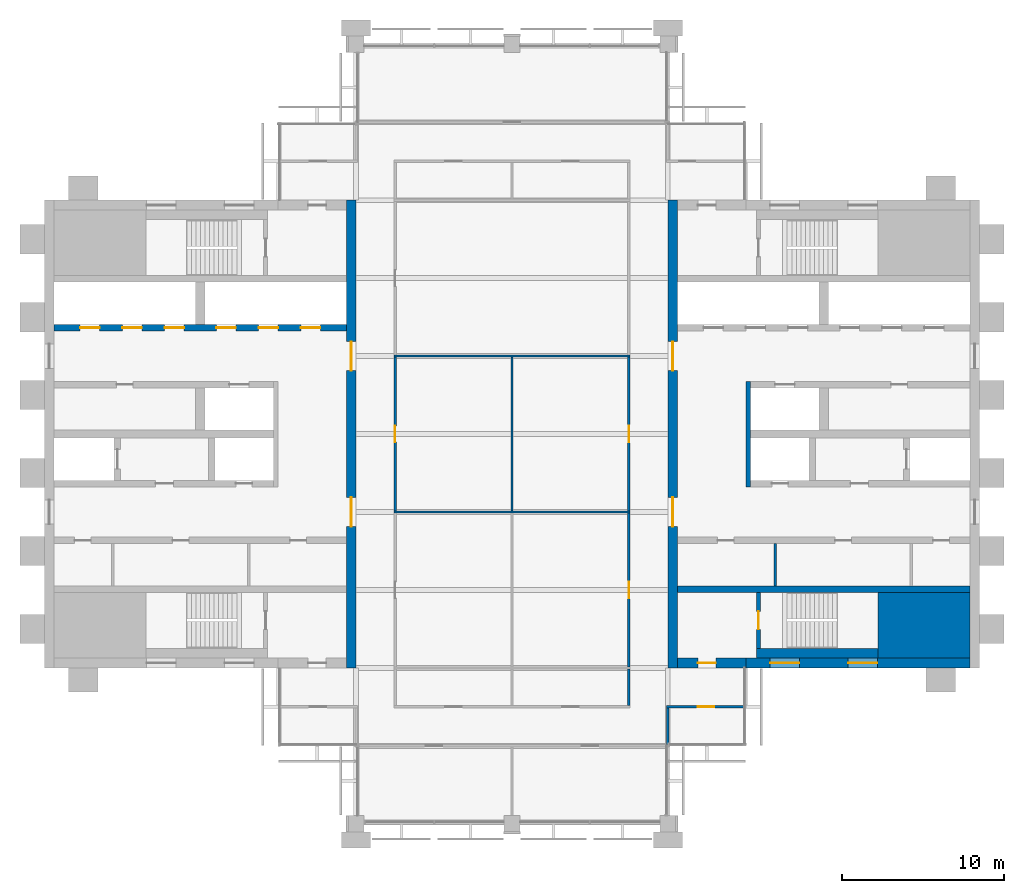
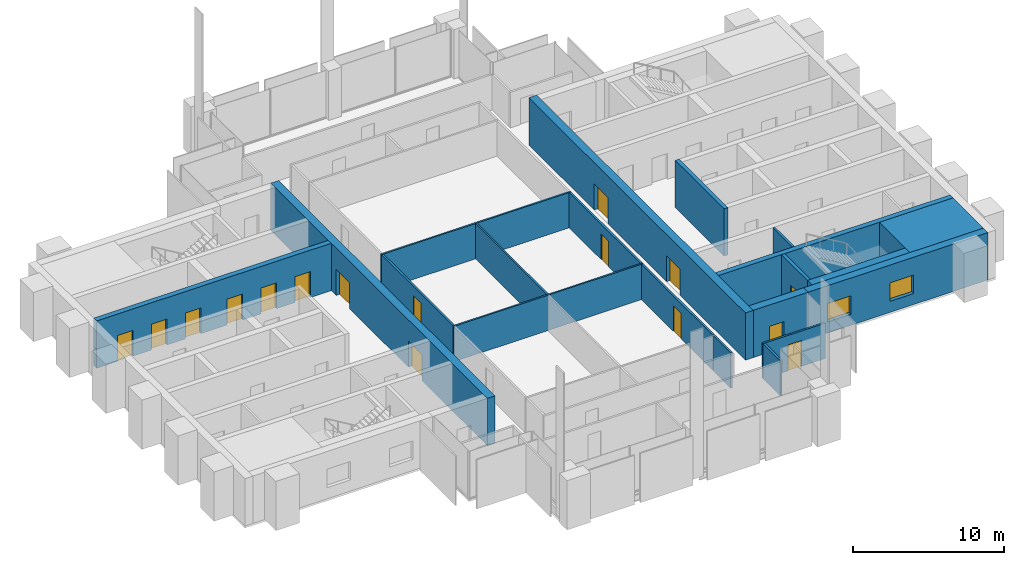
# One storey, part 9 of 13: 20 walls, 16 doors, 2 windows, 18 openings.
"""IFC4 building model written with IfcOpenShell, lengths in metres."""

from ifc_helpers import new_model, si_unit, direction, frame, frame_2d, origin, place, context, subcontext, project, spatial, rectangle, extrude, material, layer, layer_set, type_object, element, fill, save


model = new_model("IFC4")

# Units and contexts
model_context = context("Model", 3, precision=1e-05, world=origin(), true_north=direction((0.0, 1.0)))
body_context = subcontext(model_context, "Body", "Model", "MODEL_VIEW")
ifc_project = project(units=[si_unit("LENGTHUNIT", "METRE"), si_unit("AREAUNIT", "SQUARE_METRE"), si_unit("VOLUMEUNIT", "CUBIC_METRE"), si_unit("PLANEANGLEUNIT", "RADIAN"), si_unit("MASSUNIT", "GRAM", prefix="KILO")], contexts=[model_context])

# Site, building, storey
site_placement = place(None, origin())
site = spatial("IfcSite", under=ifc_project, at=site_placement, CompositionType="ELEMENT")
building_placement = place(site_placement, origin())
building = spatial("IfcBuilding", under=site, at=building_placement, Name="Baori Bourse Tower", CompositionType="ELEMENT")
storey_placement = place(building_placement, frame((0.0, 0.0, 294.300048828125)))
storey = spatial("IfcBuildingStorey", under=building, at=storey_placement, Name="L64", CompositionType="ELEMENT", Elevation=294.300048828125)

# Walls
ifc_material_1 = material(Name="Concrete f'c 40 MPa", Category="concrete")
wall_type_1 = type_object("IfcWallType", Name="Core corner block f'c 40", PredefinedType="SHEAR", material=ifc_material_1)
wall_1_placement = place(storey_placement, frame((51.35009765625, 12.22509765625, 0.0), z_axis=(0.0, 0.0, 1.0), x_axis=(1.0, 0.0, 0.0)))
element("IfcWall", 1, at=wall_1_placement, inside=storey, type_object=wall_type_1, Name="Core wall E05", PredefinedType="SHEAR", context=body_context, shape_type="SweptSolid", body=[
    extrude(rectangle(XDim=5.64990234375, YDim=4.050048828125, at=frame_2d((2.824951171875, 0.0))), origin(), (0.0, 0.0, 1.0), 3.83984375),
])
ifc_material_2 = material(Name="Blockwork partition", Category="masonry")
ifc_layer_1 = layer(ifc_material_2, 0.14990234375)
ifc_layer_set_1 = layer_set([ifc_layer_1], Name="Core partition 150")
wall_type_2 = type_object("IfcWallType", Name="Core partition 150", PredefinedType="PARTITIONING", material=ifc_layer_set_1)
wall_2_placement = place(storey_placement, frame((45.0, 14.64990234375, 0.0), z_axis=(0.0, 0.0, 1.0), x_axis=(0.0, 1.0, 0.0)))
element("IfcWall", 2, at=wall_2_placement, inside=storey, type_object=wall_type_2, Name="Partition wall E10", PredefinedType="PARTITIONING", context=body_context, shape_type="SweptSolid", body=[
    extrude(rectangle(XDim=2.60009765625, YDim=0.14990234375, at=frame_2d((1.300048828125, 0.0))), origin(), (0.0, 0.0, 1.0), 3.83984375),
])

# Wall, openings, doors
ifc_material_3 = material(Name="Concrete f'c 40 MPa", Category="concrete")
ifc_layer_2 = layer(ifc_material_3, 0.60009765625)
ifc_layer_set_2 = layer_set([ifc_layer_2], Name="Core wall 600 f'c 40")
wall_type_3 = type_object("IfcWallType", Name="Core wall 600 f'c 40", PredefinedType="SHEAR", material=ifc_layer_set_2)
wall_3_placement = place(storey_placement, frame((18.89990234375, 38.39990234375, 0.0), z_axis=(0.0, 0.0, 1.0), x_axis=(0.0, -1.0, 0.0)))
wall_3 = element("IfcWall", 3, at=wall_3_placement, inside=storey, type_object=wall_type_3, Name="Core wall W04", PredefinedType="SHEAR", context=body_context, shape_type="SweptSolid", body=[
    extrude(rectangle(XDim=28.7998046875, YDim=0.60009765625, at=frame_2d((14.39990234375, 0.0))), origin(), (0.0, 0.0, 1.0), 3.83984375),
])
opening_1_placement = place(wall_3_placement, frame((18.300048828125, 0.0, 0.0)))
opening_1 = element("IfcOpeningElement", 4, at=opening_1_placement, cuts=wall_3, Name="Opening L64-D107", PredefinedType="OPENING", context=body_context, shape_type="SweptSolid", body=[
    extrude(rectangle(XDim=1.800048828125, YDim=2.10009765625, at=frame_2d((0.89990234375, 1.050048828125))), frame((0.0, 0.31005859375, 0.0), z_axis=(0.0, -1.0, 0.0), x_axis=(1.0, 0.0, 0.0)), (0.0, 0.0, 1.0), 0.6201171875),
])
opening_2_placement = place(wall_3_placement, frame((8.699951171875, 0.0, 0.0)))
opening_2 = element("IfcOpeningElement", 5, at=opening_2_placement, cuts=wall_3, Name="Opening L64-D108", PredefinedType="OPENING", context=body_context, shape_type="SweptSolid", body=[
    extrude(rectangle(XDim=1.800048828125, YDim=2.10009765625, at=frame_2d((0.89990234375, 1.050048828125))), frame((0.0, 0.31005859375, 0.0), z_axis=(0.0, -1.0, 0.0), x_axis=(1.0, 0.0, 0.0)), (0.0, 0.0, 1.0), 0.6201171875),
])
ifc_material_4 = material(Name="Painted steel door", Category="steel")
door_type_1 = type_object("IfcDoorType", Name="Core lobby door 1800", OperationType="DOUBLE_DOOR_SINGLE_SWING", PredefinedType="DOOR", material=ifc_material_4)
door_1_placement = place(opening_1_placement, origin())
door_1 = element("IfcDoor", 6, at=door_1_placement, inside=storey, type_object=door_type_1, Name="Lobby door W L64", OperationType="DOUBLE_DOOR_SINGLE_SWING", OverallHeight=2.10009765625, OverallWidth=1.800048828125, PredefinedType="DOOR", context=body_context, shape_type="SweptSolid", body=[
    extrude(rectangle(XDim=1.800048828125, YDim=2.10009765625, at=frame_2d((0.89990234375, 1.050048828125))), frame((0.0, 0.02490234375, 0.0), z_axis=(0.0, -1.0, 0.0), x_axis=(1.0, 0.0, 0.0)), (0.0, 0.0, 1.0), 0.050048828125),
])
fill(opening_1, door_1)
door_2_placement = place(opening_2_placement, origin())
door_2 = element("IfcDoor", 7, at=door_2_placement, inside=storey, type_object=door_type_1, Name="Lobby door W L64", OperationType="DOUBLE_DOOR_SINGLE_SWING", OverallHeight=2.10009765625, OverallWidth=1.800048828125, PredefinedType="DOOR", context=body_context, shape_type="SweptSolid", body=[
    extrude(rectangle(XDim=1.800048828125, YDim=2.10009765625, at=frame_2d((0.89990234375, 1.050048828125))), frame((0.0, 0.02490234375, 0.0), z_axis=(0.0, -1.0, 0.0), x_axis=(1.0, 0.0, 0.0)), (0.0, 0.0, 1.0), 0.050048828125),
])
fill(opening_2, door_2)

# Wall, openings, windows
wall_4_placement = place(storey_placement, frame((57.0, 9.89990234375, 0.0), z_axis=(0.0, 0.0, 1.0), x_axis=(-1.0, 0.0, 0.0)))
wall_4 = element("IfcWall", 8, at=wall_4_placement, inside=storey, type_object=wall_type_3, Name="Core wall E02", PredefinedType="SHEAR", context=body_context, shape_type="SweptSolid", body=[
    extrude(rectangle(XDim=13.800048828125, YDim=0.60009765625, at=frame_2d((6.89990234375, 0.0))), origin(), (0.0, 0.0, 1.0), 3.83984375),
])
opening_3_placement = place(wall_4_placement, frame((5.699951171875, 0.0, 0.89990234375)))
opening_3 = element("IfcOpeningElement", 9, at=opening_3_placement, cuts=wall_4, Name="Opening L64-KW203", PredefinedType="OPENING", context=body_context, shape_type="SweptSolid", body=[
    extrude(rectangle(XDim=1.800048828125, YDim=1.5, at=frame_2d((0.89990234375, 0.75))), frame((0.0, 0.31005859375, 0.0), z_axis=(0.0, -1.0, 0.0), x_axis=(1.0, 0.0, 0.0)), (0.0, 0.0, 1.0), 0.6201171875),
])
opening_4_placement = place(wall_4_placement, frame((10.5, 0.0, 0.89990234375)))
opening_4 = element("IfcOpeningElement", 10, at=opening_4_placement, cuts=wall_4, Name="Opening L64-KW204", PredefinedType="OPENING", context=body_context, shape_type="SweptSolid", body=[
    extrude(rectangle(XDim=1.800048828125, YDim=1.5, at=frame_2d((0.89990234375, 0.75))), frame((0.0, 0.31005859375, 0.0), z_axis=(0.0, -1.0, 0.0), x_axis=(1.0, 0.0, 0.0)), (0.0, 0.0, 1.0), 0.6201171875),
])
ifc_material_5 = material(Name="Pale anodised aluminium", Category="aluminium")
window_type = type_object("IfcWindowType", Name="Stair window 1800 x 1500", PartitioningType="SINGLE_PANEL", PredefinedType="WINDOW", material=ifc_material_5)
window_1_placement = place(opening_3_placement, origin())
window_1 = element("IfcWindow", 11, at=window_1_placement, inside=storey, type_object=window_type, Name="Stair window E L64 3", OverallHeight=1.5, OverallWidth=1.800048828125, PartitioningType="SINGLE_PANEL", PredefinedType="WINDOW", context=body_context, shape_type="SweptSolid", body=[
    extrude(rectangle(XDim=1.800048828125, YDim=1.5, at=frame_2d((0.89990234375, 0.75))), frame((0.0, 0.030029296875, 0.0), z_axis=(0.0, -1.0, 0.0), x_axis=(1.0, 0.0, 0.0)), (0.0, 0.0, 1.0), 0.06005859375),
])
fill(opening_3, window_1)
window_2_placement = place(opening_4_placement, origin())
window_2 = element("IfcWindow", 12, at=window_2_placement, inside=storey, type_object=window_type, Name="Stair window E L64 4", OverallHeight=1.5, OverallWidth=1.800048828125, PartitioningType="SINGLE_PANEL", PredefinedType="WINDOW", context=body_context, shape_type="SweptSolid", body=[
    extrude(rectangle(XDim=1.800048828125, YDim=1.5, at=frame_2d((0.89990234375, 0.75))), frame((0.0, 0.030029296875, 0.0), z_axis=(0.0, -1.0, 0.0), x_axis=(1.0, 0.0, 0.0)), (0.0, 0.0, 1.0), 0.06005859375),
])
fill(opening_4, window_2)

# Wall, opening, door
wall_5_placement = place(storey_placement, frame((43.199951171875, 9.89990234375, 0.0), z_axis=(0.0, 0.0, 1.0), x_axis=(-1.0, 0.0, 0.0)))
wall_5 = element("IfcWall", 13, at=wall_5_placement, inside=storey, type_object=wall_type_3, Name="Core wall E03", PredefinedType="SHEAR", context=body_context, shape_type="SweptSolid", body=[
    extrude(rectangle(XDim=4.199951171875, YDim=0.60009765625, at=frame_2d((2.10009765625, 0.0))), origin(), (0.0, 0.0, 1.0), 3.83984375),
])
opening_5_placement = place(wall_5_placement, frame((1.85009765625, 0.0, 0.0)))
opening_5 = element("IfcOpeningElement", 14, at=opening_5_placement, cuts=wall_5, Name="Opening L64-D202", PredefinedType="OPENING", context=body_context, shape_type="SweptSolid", body=[
    extrude(rectangle(XDim=1.10009765625, YDim=2.10009765625, at=frame_2d((0.550048828125, 1.050048828125))), frame((0.0, 0.31005859375, 0.0), z_axis=(0.0, -1.0, 0.0), x_axis=(1.0, 0.0, 0.0)), (0.0, 0.0, 1.0), 0.6201171875),
])
ifc_material_6 = material(Name="Painted steel door", Category="steel")
door_type_2 = type_object("IfcDoorType", Name="Stair door 1100", OperationType="SINGLE_SWING_LEFT", PredefinedType="DOOR", material=ifc_material_6)
door_3_placement = place(opening_5_placement, origin())
door_3 = element("IfcDoor", 15, at=door_3_placement, inside=storey, type_object=door_type_2, Name="Stair vestibule door A E L64", OperationType="SINGLE_SWING_LEFT", OverallHeight=2.10009765625, OverallWidth=1.10009765625, PredefinedType="DOOR", context=body_context, shape_type="SweptSolid", body=[
    extrude(rectangle(XDim=1.10009765625, YDim=2.10009765625, at=frame_2d((0.550048828125, 1.050048828125))), frame((0.0, 0.02490234375, 0.0), z_axis=(0.0, -1.0, 0.0), x_axis=(1.0, 0.0, 0.0)), (0.0, 0.0, 1.0), 0.050048828125),
])
fill(opening_5, door_3)

# Wall, openings, doors
wall_6_placement = place(storey_placement, frame((38.699951171875, 9.60009765625, 0.0), z_axis=(0.0, 0.0, 1.0), x_axis=(0.0, 1.0, 0.0)))
wall_6 = element("IfcWall", 16, at=wall_6_placement, inside=storey, type_object=wall_type_3, Name="Core wall E04", PredefinedType="SHEAR", context=body_context, shape_type="SweptSolid", body=[
    extrude(rectangle(XDim=28.7998046875, YDim=0.60009765625, at=frame_2d((14.39990234375, 0.0))), origin(), (0.0, 0.0, 1.0), 3.83984375),
])
opening_6_placement = place(wall_6_placement, frame((8.699951171875, 0.0, 0.0)))
opening_6 = element("IfcOpeningElement", 17, at=opening_6_placement, cuts=wall_6, Name="Opening L64-D207", PredefinedType="OPENING", context=body_context, shape_type="SweptSolid", body=[
    extrude(rectangle(XDim=1.800048828125, YDim=2.10009765625, at=frame_2d((0.89990234375, 1.050048828125))), frame((0.0, 0.31005859375, 0.0), z_axis=(0.0, -1.0, 0.0), x_axis=(1.0, 0.0, 0.0)), (0.0, 0.0, 1.0), 0.6201171875),
])
opening_7_placement = place(wall_6_placement, frame((18.300048828125, 0.0, 0.0)))
opening_7 = element("IfcOpeningElement", 18, at=opening_7_placement, cuts=wall_6, Name="Opening L64-D208", PredefinedType="OPENING", context=body_context, shape_type="SweptSolid", body=[
    extrude(rectangle(XDim=1.800048828125, YDim=2.10009765625, at=frame_2d((0.89990234375, 1.050048828125))), frame((0.0, 0.31005859375, 0.0), z_axis=(0.0, -1.0, 0.0), x_axis=(1.0, 0.0, 0.0)), (0.0, 0.0, 1.0), 0.6201171875),
])
door_4_placement = place(opening_6_placement, origin())
door_4 = element("IfcDoor", 19, at=door_4_placement, inside=storey, type_object=door_type_1, Name="Lobby door E L64", OperationType="DOUBLE_DOOR_SINGLE_SWING", OverallHeight=2.10009765625, OverallWidth=1.800048828125, PredefinedType="DOOR", context=body_context, shape_type="SweptSolid", body=[
    extrude(rectangle(XDim=1.800048828125, YDim=2.10009765625, at=frame_2d((0.89990234375, 1.050048828125))), frame((0.0, 0.02490234375, 0.0), z_axis=(0.0, -1.0, 0.0), x_axis=(1.0, 0.0, 0.0)), (0.0, 0.0, 1.0), 0.050048828125),
])
fill(opening_6, door_4)
door_5_placement = place(opening_7_placement, origin())
door_5 = element("IfcDoor", 20, at=door_5_placement, inside=storey, type_object=door_type_1, Name="Lobby door E L64", OperationType="DOUBLE_DOOR_SINGLE_SWING", OverallHeight=2.10009765625, OverallWidth=1.800048828125, PredefinedType="DOOR", context=body_context, shape_type="SweptSolid", body=[
    extrude(rectangle(XDim=1.800048828125, YDim=2.10009765625, at=frame_2d((0.89990234375, 1.050048828125))), frame((0.0, 0.02490234375, 0.0), z_axis=(0.0, -1.0, 0.0), x_axis=(1.0, 0.0, 0.0)), (0.0, 0.0, 1.0), 0.050048828125),
])
fill(opening_7, door_5)

# Wall, opening, door
ifc_material_7 = material(Name="Gypsum board partition")
ifc_layer_3 = layer(ifc_material_7, 0.14990234375)
ifc_layer_set_3 = layer_set([ifc_layer_3], Name="Corridor partition 150")
wall_type_4 = type_object("IfcWallType", Name="Corridor partition 150", PredefinedType="PARTITIONING", material=ifc_layer_set_3)
wall_7_placement = place(storey_placement, frame((38.324951171875, 7.199951171875, 0.0), z_axis=(0.0, 0.0, 1.0), x_axis=(1.0, 0.0, 0.0)))
wall_7 = element("IfcWall", 21, at=wall_7_placement, inside=storey, type_object=wall_type_4, Name="Partition", PredefinedType="PARTITIONING", context=body_context, shape_type="SweptSolid", body=[
    extrude(rectangle(XDim=4.775146484375, YDim=0.14990234375, at=frame_2d((2.3876953125, 0.0))), origin(), (0.0, 0.0, 1.0), 2.86962890625),
])
opening_8_placement = place(wall_7_placement, frame((1.925048828125, 0.0, 0.0)))
opening_8 = element("IfcOpeningElement", 22, at=opening_8_placement, cuts=wall_7, Name="Opening L64-D06", PredefinedType="OPENING", context=body_context, shape_type="SweptSolid", body=[
    extrude(rectangle(XDim=1.0, YDim=2.10009765625, at=frame_2d((0.5, 1.050048828125))), frame((0.0, 0.0849609375, 0.0), z_axis=(0.0, -1.0, 0.0), x_axis=(1.0, 0.0, 0.0)), (0.0, 0.0, 1.0), 0.169921875),
])
ifc_material_8 = material(Name="Timber door leaf", Category="wood")
door_type_3 = type_object("IfcDoorType", Name="Door 1000 x 2100", OperationType="SINGLE_SWING_LEFT", PredefinedType="DOOR", material=ifc_material_8)
door_6_placement = place(opening_8_placement, origin())
door_6 = element("IfcDoor", 23, at=door_6_placement, inside=storey, type_object=door_type_3, Name="Door", OperationType="SINGLE_SWING_RIGHT", OverallHeight=2.10009765625, OverallWidth=1.0, PredefinedType="DOOR", context=body_context, shape_type="SweptSolid", body=[
    extrude(rectangle(XDim=1.0, YDim=2.10009765625, at=frame_2d((0.5, 1.050048828125))), frame((0.0, 0.02490234375, 0.0), z_axis=(0.0, -1.0, 0.0), x_axis=(1.0, 0.0, 0.0)), (0.0, 0.0, 1.0), 0.050048828125),
])
fill(opening_8, door_6)

wall_8_placement = place(storey_placement, frame((21.60009765625, 19.262451171875, 0.0), z_axis=(0.0, 0.0, 1.0), x_axis=(0.0, 1.0, 0.0)))
wall_8 = element("IfcWall", 24, at=wall_8_placement, inside=storey, type_object=wall_type_4, Name="Partition", PredefinedType="PARTITIONING", context=body_context, shape_type="SweptSolid", body=[
    extrude(rectangle(XDim=9.47509765625, YDim=0.14990234375, at=frame_2d((4.737548828125, 0.0))), origin(), (0.0, 0.0, 1.0), 2.86962890625),
])
opening_9_placement = place(wall_8_placement, frame((4.237548828125, 0.0, 0.0)))
opening_9 = element("IfcOpeningElement", 25, at=opening_9_placement, cuts=wall_8, Name="Opening L64-D13", PredefinedType="OPENING", context=body_context, shape_type="SweptSolid", body=[
    extrude(rectangle(XDim=1.0, YDim=2.10009765625, at=frame_2d((0.5, 1.050048828125))), frame((0.0, 0.0849609375, 0.0), z_axis=(0.0, -1.0, 0.0), x_axis=(1.0, 0.0, 0.0)), (0.0, 0.0, 1.0), 0.169921875),
])
door_7_placement = place(opening_9_placement, origin())
door_7 = element("IfcDoor", 26, at=door_7_placement, inside=storey, type_object=door_type_3, Name="Door", OperationType="SINGLE_SWING_LEFT", OverallHeight=2.10009765625, OverallWidth=1.0, PredefinedType="DOOR", context=body_context, shape_type="SweptSolid", body=[
    extrude(rectangle(XDim=1.0, YDim=2.10009765625, at=frame_2d((0.5, 1.050048828125))), frame((0.0, 0.02490234375, 0.0), z_axis=(0.0, -1.0, 0.0), x_axis=(1.0, 0.0, 0.0)), (0.0, 0.0, 1.0), 0.050048828125),
])
fill(opening_9, door_7)

# Wall
wall_9_placement = place(storey_placement, frame((36.0, 7.27490234375, 0.0), z_axis=(0.0, 0.0, 1.0), x_axis=(0.0, 1.0, 0.0)))
element("IfcWall", 27, at=wall_9_placement, inside=storey, type_object=wall_type_4, Name="Partition", PredefinedType="PARTITIONING", context=body_context, shape_type="SweptSolid", body=[
    extrude(rectangle(XDim=2.2626953125, YDim=0.14990234375, at=frame_2d((1.13134765625, 0.0))), origin(), (0.0, 0.0, 1.0), 2.86962890625),
])

# Wall, opening, door
wall_10_placement = place(storey_placement, frame((36.0, 9.66259765625, 0.0), z_axis=(0.0, 0.0, 1.0), x_axis=(0.0, 1.0, 0.0)))
wall_10 = element("IfcWall", 28, at=wall_10_placement, inside=storey, type_object=wall_type_4, Name="Partition", PredefinedType="PARTITIONING", context=body_context, shape_type="SweptSolid", body=[
    extrude(rectangle(XDim=9.474853515625, YDim=0.14990234375, at=frame_2d((4.7373046875, 0.0))), origin(), (0.0, 0.0, 1.0), 2.86962890625),
])
opening_10_placement = place(wall_10_placement, frame((4.237548828125, 0.0, 0.0)))
opening_10 = element("IfcOpeningElement", 29, at=opening_10_placement, cuts=wall_10, Name="Opening L64-D15", PredefinedType="OPENING", context=body_context, shape_type="SweptSolid", body=[
    extrude(rectangle(XDim=1.0, YDim=2.10009765625, at=frame_2d((0.5, 1.050048828125))), frame((0.0, 0.0849609375, 0.0), z_axis=(0.0, -1.0, 0.0), x_axis=(1.0, 0.0, 0.0)), (0.0, 0.0, 1.0), 0.169921875),
])
door_8_placement = place(opening_10_placement, origin())
door_8 = element("IfcDoor", 30, at=door_8_placement, inside=storey, type_object=door_type_3, Name="Door", OperationType="SINGLE_SWING_LEFT", OverallHeight=2.10009765625, OverallWidth=1.0, PredefinedType="DOOR", context=body_context, shape_type="SweptSolid", body=[
    extrude(rectangle(XDim=1.0, YDim=2.10009765625, at=frame_2d((0.5, 1.050048828125))), frame((0.0, 0.02490234375, 0.0), z_axis=(0.0, -1.0, 0.0), x_axis=(1.0, 0.0, 0.0)), (0.0, 0.0, 1.0), 0.050048828125),
])
fill(opening_10, door_8)

wall_11_placement = place(storey_placement, frame((36.0, 19.262451171875, 0.0), z_axis=(0.0, 0.0, 1.0), x_axis=(0.0, 1.0, 0.0)))
wall_11 = element("IfcWall", 31, at=wall_11_placement, inside=storey, type_object=wall_type_4, Name="Partition", PredefinedType="PARTITIONING", context=body_context, shape_type="SweptSolid", body=[
    extrude(rectangle(XDim=9.47509765625, YDim=0.14990234375, at=frame_2d((4.737548828125, 0.0))), origin(), (0.0, 0.0, 1.0), 2.86962890625),
])
opening_11_placement = place(wall_11_placement, frame((4.237548828125, 0.0, 0.0)))
opening_11 = element("IfcOpeningElement", 32, at=opening_11_placement, cuts=wall_11, Name="Opening L64-D16", PredefinedType="OPENING", context=body_context, shape_type="SweptSolid", body=[
    extrude(rectangle(XDim=1.0, YDim=2.10009765625, at=frame_2d((0.5, 1.050048828125))), frame((0.0, 0.0849609375, 0.0), z_axis=(0.0, -1.0, 0.0), x_axis=(1.0, 0.0, 0.0)), (0.0, 0.0, 1.0), 0.169921875),
])
door_9_placement = place(opening_11_placement, origin())
door_9 = element("IfcDoor", 33, at=door_9_placement, inside=storey, type_object=door_type_3, Name="Door", OperationType="SINGLE_SWING_RIGHT", OverallHeight=2.10009765625, OverallWidth=1.0, PredefinedType="DOOR", context=body_context, shape_type="SweptSolid", body=[
    extrude(rectangle(XDim=1.0, YDim=2.10009765625, at=frame_2d((0.5, 1.050048828125))), frame((0.0, 0.02490234375, 0.0), z_axis=(0.0, -1.0, 0.0), x_axis=(1.0, 0.0, 0.0)), (0.0, 0.0, 1.0), 0.050048828125),
])
fill(opening_11, door_9)

# Walls
wall_12_placement = place(storey_placement, frame((38.39990234375, 4.875, 0.0), z_axis=(0.0, 0.0, 1.0), x_axis=(0.0, 1.0, 0.0)))
element("IfcWall", 34, at=wall_12_placement, inside=storey, type_object=wall_type_4, Name="Partition", PredefinedType="PARTITIONING", context=body_context, shape_type="SweptSolid", body=[
    extrude(rectangle(XDim=2.25, YDim=0.14990234375, at=frame_2d((1.125, 0.0))), origin(), (0.0, 0.0, 1.0), 2.86962890625),
])
ifc_material_9 = material(Name="Gypsum board partition")
ifc_layer_4 = layer(ifc_material_9, 0.125)
ifc_layer_set_4 = layer_set([ifc_layer_4], Name="Partition 125")
wall_type_5 = type_object("IfcWallType", Name="Partition 125", PredefinedType="PARTITIONING", material=ifc_layer_set_4)
for number, where, z_axis, x_axis, name in (
    (35, (21.52490234375, 19.199951171875, 0.0), (0.0, 0.0, 1.0), (1.0, 0.0, 0.0), "Partition"),
    (36, (21.52490234375, 28.800048828125, 0.0), (0.0, 0.0, 1.0), (1.0, 0.0, 0.0), "Partition"),
):
    element("IfcWall", number, at=place(storey_placement, frame(where, z_axis=z_axis, x_axis=x_axis)), inside=storey, type_object=wall_type_5, Name=name, PredefinedType="PARTITIONING", context=body_context, shape_type="SweptSolid", body=[
        extrude(rectangle(XDim=14.550048828125, YDim=0.125, at=frame_2d((7.27490234375, 0.0))), origin(), (0.0, 0.0, 1.0), 2.86962890625),
    ])
wall_13_placement = place(storey_placement, frame((28.800048828125, 19.262451171875, 0.0), z_axis=(0.0, 0.0, 1.0), x_axis=(0.0, 1.0, 0.0)))
element("IfcWall", 37, at=wall_13_placement, inside=storey, type_object=wall_type_5, Name="Partition", PredefinedType="PARTITIONING", context=body_context, shape_type="SweptSolid", body=[
    extrude(rectangle(XDim=9.47509765625, YDim=0.125, at=frame_2d((4.737548828125, 0.0))), origin(), (0.0, 0.0, 1.0), 2.86962890625),
])

# Wall, opening, door
ifc_material_10 = material(Name="Concrete f'c 40 MPa", Category="concrete")
ifc_layer_5 = layer(ifc_material_10, 0.25)
ifc_layer_set_5 = layer_set([ifc_layer_5], Name="Shaft wall 250 f'c 40")
wall_type_6 = type_object("IfcWallType", Name="Shaft wall 250 f'c 40", PredefinedType="SHEAR", material=ifc_layer_set_5)
wall_14_placement = place(storey_placement, frame((43.97509765625, 10.800048828125, 0.0), z_axis=(0.0, 0.0, 1.0), x_axis=(0.0, 1.0, 0.0)))
wall_14 = element("IfcWall", 38, at=wall_14_placement, inside=storey, type_object=wall_type_6, Name="Core wall E07", PredefinedType="SHEAR", context=body_context, shape_type="SweptSolid", body=[
    extrude(rectangle(XDim=3.449951171875, YDim=0.25, at=frame_2d((1.72509765625, 0.0))), origin(), (0.0, 0.0, 1.0), 3.83984375),
])
opening_12_placement = place(wall_14_placement, frame((1.175048828125, 0.0, 0.0)))
opening_12 = element("IfcOpeningElement", 39, at=opening_12_placement, cuts=wall_14, Name="Opening L64-D201", PredefinedType="OPENING", context=body_context, shape_type="SweptSolid", body=[
    extrude(rectangle(XDim=1.10009765625, YDim=2.10009765625, at=frame_2d((0.550048828125, 1.050048828125))), frame((0.0, 0.135009765625, 0.0), z_axis=(0.0, -1.0, 0.0), x_axis=(1.0, 0.0, 0.0)), (0.0, 0.0, 1.0), 0.27001953125),
])
door_10_placement = place(opening_12_placement, origin())
door_10 = element("IfcDoor", 40, at=door_10_placement, inside=storey, type_object=door_type_2, Name="Stair door A E L64", OperationType="SINGLE_SWING_LEFT", OverallHeight=2.10009765625, OverallWidth=1.10009765625, PredefinedType="DOOR", context=body_context, shape_type="SweptSolid", body=[
    extrude(rectangle(XDim=1.10009765625, YDim=2.10009765625, at=frame_2d((0.550048828125, 1.050048828125))), frame((0.0, 0.02490234375, 0.0), z_axis=(0.0, -1.0, 0.0), x_axis=(1.0, 0.0, 0.0)), (0.0, 0.0, 1.0), 0.050048828125),
])
fill(opening_12, door_10)

# Wall
ifc_material_11 = material(Name="Concrete f'c 40 MPa", Category="concrete")
ifc_layer_6 = layer(ifc_material_11, 0.300048828125)
ifc_layer_set_6 = layer_set([ifc_layer_6], Name="Shaft wall 300 f'c 40")
wall_type_7 = type_object("IfcWallType", Name="Shaft wall 300 f'c 40", PredefinedType="SHEAR", material=ifc_layer_set_6)
wall_15_placement = place(storey_placement, frame((43.35009765625, 20.75, 0.0), z_axis=(0.0, 0.0, 1.0), x_axis=(0.0, 1.0, 0.0)))
element("IfcWall", 41, at=wall_15_placement, inside=storey, type_object=wall_type_7, Name="Core wall E13", PredefinedType="SHEAR", context=body_context, shape_type="SweptSolid", body=[
    extrude(rectangle(XDim=6.5, YDim=0.300048828125, at=frame_2d((3.25, 0.0))), origin(), (0.0, 0.0, 1.0), 3.83984375),
])

# Wall, openings, doors
ifc_material_12 = material(Name="Concrete f'c 40 MPa", Category="concrete")
ifc_layer_7 = layer(ifc_material_12, 0.39990234375)
ifc_layer_set_7 = layer_set([ifc_layer_7], Name="Shaft wall 400 f'c 40")
wall_type_8 = type_object("IfcWallType", Name="Shaft wall 400 f'c 40", PredefinedType="SHEAR", material=ifc_layer_set_7)
wall_16_placement = place(storey_placement, frame((0.60009765625, 30.550048828125, 0.0), z_axis=(0.0, 0.0, 1.0), x_axis=(1.0, 0.0, 0.0)))
wall_16 = element("IfcWall", 42, at=wall_16_placement, inside=storey, type_object=wall_type_8, Name="Core wall W19", PredefinedType="SHEAR", context=body_context, shape_type="SweptSolid", body=[
    extrude(rectangle(XDim=18.0, YDim=0.39990234375, at=frame_2d((9.0, 0.0))), origin(), (0.0, 0.0, 1.0), 3.83984375),
])
opening_13_placement = place(wall_16_placement, frame((1.60009765625, 0.0, 0.0)))
opening_13 = element("IfcOpeningElement", 43, at=opening_13_placement, cuts=wall_16, Name="Opening L64-D113", PredefinedType="OPENING", context=body_context, shape_type="SweptSolid", body=[
    extrude(rectangle(XDim=1.199951171875, YDim=2.10009765625, at=frame_2d((0.60009765625, 1.050048828125))), frame((0.0, 0.2099609375, 0.0), z_axis=(0.0, -1.0, 0.0), x_axis=(1.0, 0.0, 0.0)), (0.0, 0.0, 1.0), 0.419921875),
])
opening_14_placement = place(wall_16_placement, frame((4.199951171875, 0.0, 0.0)))
opening_14 = element("IfcOpeningElement", 44, at=opening_14_placement, cuts=wall_16, Name="Opening L64-D114", PredefinedType="OPENING", context=body_context, shape_type="SweptSolid", body=[
    extrude(rectangle(XDim=1.199951171875, YDim=2.10009765625, at=frame_2d((0.60009765625, 1.050048828125))), frame((0.0, 0.2099609375, 0.0), z_axis=(0.0, -1.0, 0.0), x_axis=(1.0, 0.0, 0.0)), (0.0, 0.0, 1.0), 0.419921875),
])
opening_15_placement = place(wall_16_placement, frame((6.800048828125, 0.0, 0.0)))
opening_15 = element("IfcOpeningElement", 45, at=opening_15_placement, cuts=wall_16, Name="Opening L64-D115", PredefinedType="OPENING", context=body_context, shape_type="SweptSolid", body=[
    extrude(rectangle(XDim=1.199951171875, YDim=2.10009765625, at=frame_2d((0.60009765625, 1.050048828125))), frame((0.0, 0.2099609375, 0.0), z_axis=(0.0, -1.0, 0.0), x_axis=(1.0, 0.0, 0.0)), (0.0, 0.0, 1.0), 0.419921875),
])
opening_16_placement = place(wall_16_placement, frame((10.0, 0.0, 0.0)))
opening_16 = element("IfcOpeningElement", 46, at=opening_16_placement, cuts=wall_16, Name="Opening L64-D116", PredefinedType="OPENING", context=body_context, shape_type="SweptSolid", body=[
    extrude(rectangle(XDim=1.199951171875, YDim=2.10009765625, at=frame_2d((0.60009765625, 1.050048828125))), frame((0.0, 0.2099609375, 0.0), z_axis=(0.0, -1.0, 0.0), x_axis=(1.0, 0.0, 0.0)), (0.0, 0.0, 1.0), 0.419921875),
])
opening_17_placement = place(wall_16_placement, frame((12.60009765625, 0.0, 0.0)))
opening_17 = element("IfcOpeningElement", 47, at=opening_17_placement, cuts=wall_16, Name="Opening L64-D117", PredefinedType="OPENING", context=body_context, shape_type="SweptSolid", body=[
    extrude(rectangle(XDim=1.199951171875, YDim=2.10009765625, at=frame_2d((0.60009765625, 1.050048828125))), frame((0.0, 0.2099609375, 0.0), z_axis=(0.0, -1.0, 0.0), x_axis=(1.0, 0.0, 0.0)), (0.0, 0.0, 1.0), 0.419921875),
])
opening_18_placement = place(wall_16_placement, frame((15.199951171875, 0.0, 0.0)))
opening_18 = element("IfcOpeningElement", 48, at=opening_18_placement, cuts=wall_16, Name="Opening L64-D118", PredefinedType="OPENING", context=body_context, shape_type="SweptSolid", body=[
    extrude(rectangle(XDim=1.199951171875, YDim=2.10009765625, at=frame_2d((0.60009765625, 1.050048828125))), frame((0.0, 0.2099609375, 0.0), z_axis=(0.0, -1.0, 0.0), x_axis=(1.0, 0.0, 0.0)), (0.0, 0.0, 1.0), 0.419921875),
])
ifc_material_13 = material(Name="Stainless steel door", Category="steel")
door_type_4 = type_object("IfcDoorType", Name="Lift landing door", OperationType="DOUBLE_DOOR_SLIDING", PredefinedType="DOOR", material=ifc_material_13)
door_11_placement = place(opening_13_placement, origin())
door_11 = element("IfcDoor", 49, at=door_11_placement, inside=storey, type_object=door_type_4, Name="Lift landing door HR1 W L64", OperationType="DOUBLE_DOOR_SLIDING", OverallHeight=2.10009765625, OverallWidth=1.199951171875, PredefinedType="DOOR", context=body_context, shape_type="SweptSolid", body=[
    extrude(rectangle(XDim=1.199951171875, YDim=2.10009765625, at=frame_2d((0.60009765625, 1.050048828125))), frame((0.0, 0.02490234375, 0.0), z_axis=(0.0, -1.0, 0.0), x_axis=(1.0, 0.0, 0.0)), (0.0, 0.0, 1.0), 0.050048828125),
])
fill(opening_13, door_11)
door_12_placement = place(opening_14_placement, origin())
door_12 = element("IfcDoor", 50, at=door_12_placement, inside=storey, type_object=door_type_4, Name="Lift landing door HR2 W L64", OperationType="DOUBLE_DOOR_SLIDING", OverallHeight=2.10009765625, OverallWidth=1.199951171875, PredefinedType="DOOR", context=body_context, shape_type="SweptSolid", body=[
    extrude(rectangle(XDim=1.199951171875, YDim=2.10009765625, at=frame_2d((0.60009765625, 1.050048828125))), frame((0.0, 0.02490234375, 0.0), z_axis=(0.0, -1.0, 0.0), x_axis=(1.0, 0.0, 0.0)), (0.0, 0.0, 1.0), 0.050048828125),
])
fill(opening_14, door_12)
door_13_placement = place(opening_15_placement, origin())
door_13 = element("IfcDoor", 51, at=door_13_placement, inside=storey, type_object=door_type_4, Name="Lift landing door HR3 W L64", OperationType="DOUBLE_DOOR_SLIDING", OverallHeight=2.10009765625, OverallWidth=1.199951171875, PredefinedType="DOOR", context=body_context, shape_type="SweptSolid", body=[
    extrude(rectangle(XDim=1.199951171875, YDim=2.10009765625, at=frame_2d((0.60009765625, 1.050048828125))), frame((0.0, 0.02490234375, 0.0), z_axis=(0.0, -1.0, 0.0), x_axis=(1.0, 0.0, 0.0)), (0.0, 0.0, 1.0), 0.050048828125),
])
fill(opening_15, door_13)
door_14_placement = place(opening_16_placement, origin())
door_14 = element("IfcDoor", 52, at=door_14_placement, inside=storey, type_object=door_type_4, Name="Lift landing door HR4 W L64", OperationType="DOUBLE_DOOR_SLIDING", OverallHeight=2.10009765625, OverallWidth=1.199951171875, PredefinedType="DOOR", context=body_context, shape_type="SweptSolid", body=[
    extrude(rectangle(XDim=1.199951171875, YDim=2.10009765625, at=frame_2d((0.60009765625, 1.050048828125))), frame((0.0, 0.02490234375, 0.0), z_axis=(0.0, -1.0, 0.0), x_axis=(1.0, 0.0, 0.0)), (0.0, 0.0, 1.0), 0.050048828125),
])
fill(opening_16, door_14)
door_15_placement = place(opening_17_placement, origin())
door_15 = element("IfcDoor", 53, at=door_15_placement, inside=storey, type_object=door_type_4, Name="Lift landing door HR5 W L64", OperationType="DOUBLE_DOOR_SLIDING", OverallHeight=2.10009765625, OverallWidth=1.199951171875, PredefinedType="DOOR", context=body_context, shape_type="SweptSolid", body=[
    extrude(rectangle(XDim=1.199951171875, YDim=2.10009765625, at=frame_2d((0.60009765625, 1.050048828125))), frame((0.0, 0.02490234375, 0.0), z_axis=(0.0, -1.0, 0.0), x_axis=(1.0, 0.0, 0.0)), (0.0, 0.0, 1.0), 0.050048828125),
])
fill(opening_17, door_15)
door_16_placement = place(opening_18_placement, origin())
door_16 = element("IfcDoor", 54, at=door_16_placement, inside=storey, type_object=door_type_4, Name="Lift landing door HR6 W L64", OperationType="DOUBLE_DOOR_SLIDING", OverallHeight=2.10009765625, OverallWidth=1.199951171875, PredefinedType="DOOR", context=body_context, shape_type="SweptSolid", body=[
    extrude(rectangle(XDim=1.199951171875, YDim=2.10009765625, at=frame_2d((0.60009765625, 1.050048828125))), frame((0.0, 0.02490234375, 0.0), z_axis=(0.0, -1.0, 0.0), x_axis=(1.0, 0.0, 0.0)), (0.0, 0.0, 1.0), 0.050048828125),
])
fill(opening_18, door_16)

# Walls
wall_17_placement = place(storey_placement, frame((39.0, 14.449951171875, 0.0), z_axis=(0.0, 0.0, 1.0), x_axis=(1.0, 0.0, 0.0)))
element("IfcWall", 55, at=wall_17_placement, inside=storey, type_object=wall_type_8, Name="Core wall E08", PredefinedType="SHEAR", context=body_context, shape_type="SweptSolid", body=[
    extrude(rectangle(XDim=18.0, YDim=0.39990234375, at=frame_2d((9.0, 0.0))), origin(), (0.0, 0.0, 1.0), 3.83984375),
])
ifc_material_14 = material(Name="Concrete f'c 40 MPa", Category="concrete")
ifc_layer_8 = layer(ifc_material_14, 0.60009765625)
ifc_layer_set_8 = layer_set([ifc_layer_8], Name="Shaft wall 600 f'c 40")
wall_type_9 = type_object("IfcWallType", Name="Shaft wall 600 f'c 40", PredefinedType="SHEAR", material=ifc_layer_set_8)
wall_18_placement = place(storey_placement, frame((43.85009765625, 10.5, 0.0), z_axis=(0.0, 0.0, 1.0), x_axis=(1.0, 0.0, 0.0)))
element("IfcWall", 56, at=wall_18_placement, inside=storey, type_object=wall_type_9, Name="Core wall E06", PredefinedType="SHEAR", context=body_context, shape_type="SweptSolid", body=[
    extrude(rectangle(XDim=7.5, YDim=0.60009765625, at=frame_2d((3.75, 0.0))), origin(), (0.0, 0.0, 1.0), 3.83984375),
])

save(model, "model.ifc")
